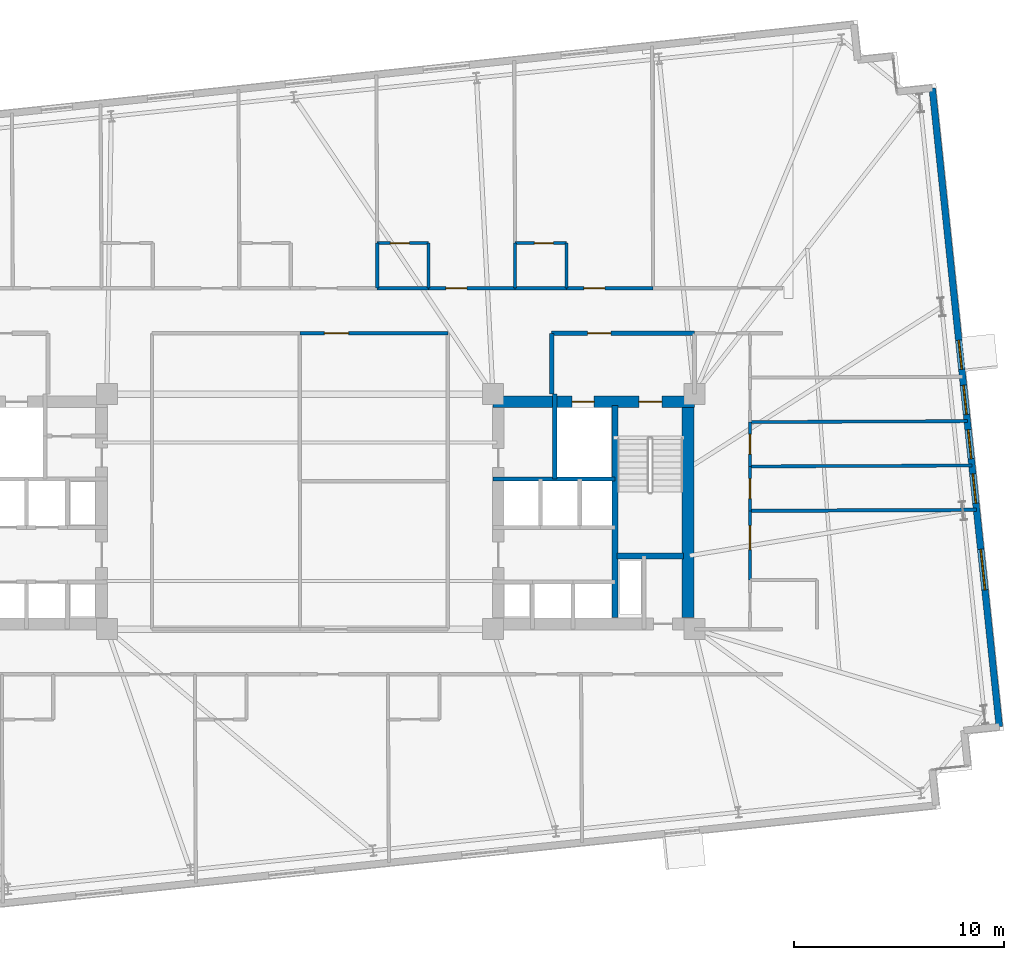
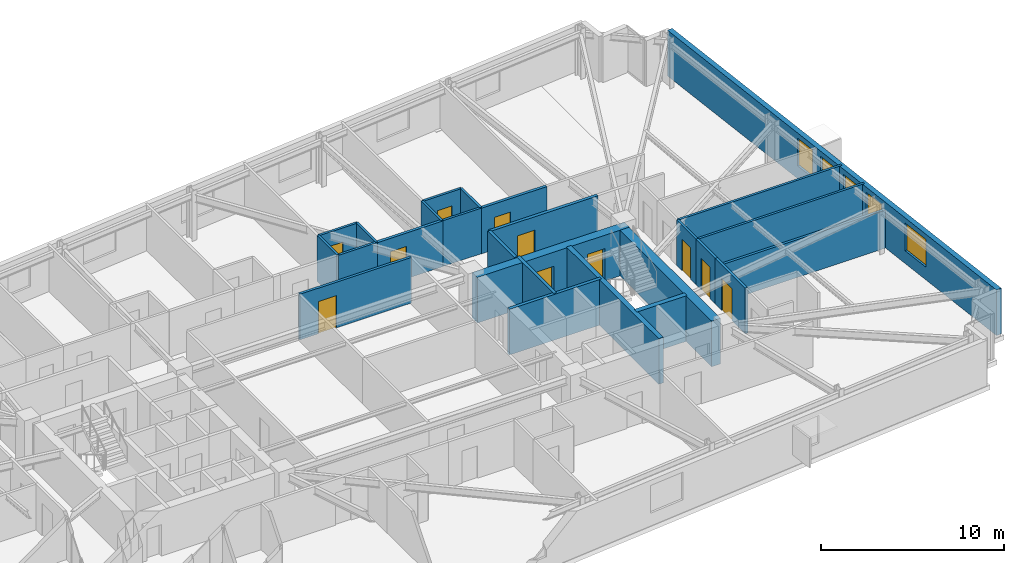
# One storey, part 15 of 19: 26 walls, 11 doors, 5 windows, 16 openings.
"""IFC4 building model written with IfcOpenShell, lengths in metres."""

from ifc_helpers import new_model, si_unit, direction, frame, frame_2d, origin, place, context, subcontext, project, spatial, rectangle, extrude, material, layer, layer_set, type_object, element, fill, save


model = new_model("IFC4")

# Units and contexts
model_context = context("Model", 3, precision=1e-05, world=origin(), true_north=direction((0.0, 1.0)))
body_context = subcontext(model_context, "Body", "Model", "MODEL_VIEW")
ifc_project = project(units=[si_unit("LENGTHUNIT", "METRE"), si_unit("AREAUNIT", "SQUARE_METRE"), si_unit("VOLUMEUNIT", "CUBIC_METRE"), si_unit("PLANEANGLEUNIT", "RADIAN"), si_unit("MASSUNIT", "GRAM", prefix="KILO")], contexts=[model_context])

# Site, building, storey
site_placement = place(None, origin())
site = spatial("IfcSite", under=ifc_project, at=site_placement, CompositionType="ELEMENT")
building_placement = place(site_placement, origin())
building = spatial("IfcBuilding", under=site, at=building_placement, Name="Qobustan Lattice House", CompositionType="ELEMENT")
storey_placement = place(building_placement, frame((0.0, 0.0, 82.35009765625)))
storey = spatial("IfcBuildingStorey", under=building, at=storey_placement, Name="L22", CompositionType="ELEMENT", Elevation=82.35009765625)

# Wall, openings, doors
ifc_material_1 = material(Name="Concrete C60/75", Category="concrete")
ifc_layer_1 = layer(ifc_material_1, 0.56005859375)
ifc_layer_set_1 = layer_set([ifc_layer_1], Name="Concrete C60/75")
wall_type_1 = type_object("IfcWallType", Name="WAL-CORE-600", PredefinedType="SHEAR", material=ifc_layer_set_1)
wall_1_placement = place(storey_placement, frame((9.199951171875, 5.239990234375, 0.0), z_axis=(0.0, 0.0, 1.0), x_axis=(1.0, 0.0, 0.0)))
wall_1 = element("IfcWall", 1, at=wall_1_placement, inside=storey, type_object=wall_type_1, Name="L22 split-core shear wall CE-N", PredefinedType="SHEAR", context=body_context, shape_type="SweptSolid", body=[
    extrude(rectangle(XDim=9.60009765625, YDim=0.56005859375, at=frame_2d((4.800048828125, 0.0))), origin(), (0.0, 0.0, 1.0), 3.044921875),
])
opening_1_placement = place(wall_1_placement, frame((6.949951171875, 0.0, 0.0)))
opening_1 = element("IfcOpeningElement", 2, at=opening_1_placement, cuts=wall_1, Name="Opening SD-01", PredefinedType="OPENING", context=body_context, shape_type="SweptSolid", body=[
    extrude(rectangle(XDim=1.10009765625, YDim=2.14990234375, at=frame_2d((0.550048828125, 1.074951171875))), frame((0.0, 0.2900390625, 0.0), z_axis=(0.0, -1.0, 0.0), x_axis=(1.0, 0.0, 0.0)), (0.0, 0.0, 1.0), 0.580078125),
])
opening_2_placement = place(wall_1_placement, frame((3.77490234375, 0.0, 0.0)))
opening_2 = element("IfcOpeningElement", 3, at=opening_2_placement, cuts=wall_1, Name="Opening LD-01", PredefinedType="OPENING", context=body_context, shape_type="SweptSolid", body=[
    extrude(rectangle(XDim=1.050048828125, YDim=2.10009765625, at=frame_2d((0.52490234375, 1.050048828125))), frame((0.0, 0.2900390625, 0.0), z_axis=(0.0, -1.0, 0.0), x_axis=(1.0, 0.0, 0.0)), (0.0, 0.0, 1.0), 0.580078125),
])
ifc_material_2 = material(Name="Persian walnut timber and steel frame door", Category="steel")
door_type_1 = type_object("IfcDoorType", Name="DOR-LIFT-LD-1050x2100", OperationType="NOTDEFINED", PredefinedType="DOOR", material=ifc_material_2)
door_1_placement = place(opening_2_placement, origin())
door_1 = element("IfcDoor", 4, at=door_1_placement, inside=storey, type_object=door_type_1, Name="L22 firefighting lift FF-E landing door", OperationType="DOUBLE_DOOR_SLIDING", OverallHeight=2.10009765625, OverallWidth=1.050048828125, PredefinedType="DOOR", context=body_context, shape_type="SweptSolid", body=[
    extrude(rectangle(XDim=1.050048828125, YDim=2.10009765625, at=frame_2d((0.52490234375, 1.050048828125))), frame((0.0, 0.02490234375, 0.0), z_axis=(0.0, -1.0, 0.0), x_axis=(1.0, 0.0, 0.0)), (0.0, 0.0, 1.0), 0.050048828125),
])
fill(opening_2, door_1)
ifc_material_3 = material(Name="Persian walnut timber and steel frame door", Category="steel")
door_type_2 = type_object("IfcDoorType", Name="DOR-STAIR-FD-1100x2150", OperationType="NOTDEFINED", PredefinedType="DOOR", material=ifc_material_3)
door_2_placement = place(opening_1_placement, origin())
door_2 = element("IfcDoor", 5, at=door_2_placement, inside=storey, type_object=door_type_2, Name="L22 exit stair ST-E1 fire door", OperationType="SINGLE_SWING_RIGHT", OverallHeight=2.14990234375, OverallWidth=1.10009765625, PredefinedType="DOOR", context=body_context, shape_type="SweptSolid", body=[
    extrude(rectangle(XDim=1.10009765625, YDim=2.14990234375, at=frame_2d((0.550048828125, 1.074951171875))), frame((0.0, 0.02490234375, 0.0), z_axis=(0.0, -1.0, 0.0), x_axis=(1.0, 0.0, 0.0)), (0.0, 0.0, 1.0), 0.050048828125),
])
fill(opening_1, door_2)

# Walls
wall_2_placement = place(storey_placement, frame((18.489990234375, -5.050048828125, 0.0), z_axis=(0.0, 0.0, 1.0), x_axis=(0.0, 1.0, 0.0)))
element("IfcWall", 6, at=wall_2_placement, inside=storey, type_object=wall_type_1, Name="L22 split-core shear wall CE-E", PredefinedType="SHEAR", context=body_context, shape_type="SweptSolid", body=[
    extrude(rectangle(XDim=10.10009765625, YDim=0.56005859375, at=frame_2d((5.050048828125, 0.0))), origin(), (0.0, 0.0, 1.0), 3.044921875),
])
ifc_material_4 = material(Name="Concrete C50/60", Category="concrete")
ifc_layer_2 = layer(ifc_material_4, 0.280029296875)
ifc_layer_set_2 = layer_set([ifc_layer_2], Name="Concrete C50/60")
wall_type_2 = type_object("IfcWallType", Name="WAL-CORE-SPINE-280", PredefinedType="SHEAR", material=ifc_layer_set_2)
wall_3_placement = place(storey_placement, frame((15.02001953125, -5.050048828125, 0.0), z_axis=(0.0, 0.0, 1.0), x_axis=(0.0, 1.0, 0.0)))
element("IfcWall", 7, at=wall_3_placement, inside=storey, type_object=wall_type_2, Name="L22 split-core shear wall CE-M", PredefinedType="SHEAR", context=body_context, shape_type="SweptSolid", body=[
    extrude(rectangle(XDim=10.10009765625, YDim=0.300048828125, at=frame_2d((5.050048828125, 0.0))), origin(), (0.0, 0.0, 1.0), 3.044921875),
])
wall_4_placement = place(storey_placement, frame((15.10009765625, -2.110107421875, 0.0), z_axis=(0.0, 0.0, 1.0), x_axis=(1.0, 0.0, 0.0)))
element("IfcWall", 8, at=wall_4_placement, inside=storey, type_object=wall_type_2, Name="L22 split-core shear wall CE-ST", PredefinedType="SHEAR", context=body_context, shape_type="SweptSolid", body=[
    extrude(rectangle(XDim=3.179931640625, YDim=0.300048828125, at=frame_2d((1.58984375, 0.0))), origin(), (0.0, 0.0, 1.0), 3.044921875),
])

# Wall, openings, windows
ifc_material_5 = material(Name="Precast concrete C40/50", Category="concrete")
ifc_layer_3 = layer(ifc_material_5, 0.320068359375)
ifc_layer_set_3 = layer_set([ifc_layer_3], Name="Precast concrete C40/50")
wall_type_3 = type_object("IfcWallType", Name="WAL-EXT-STONE-320", PredefinedType="SOLIDWALL", material=ifc_layer_set_3)
wall_5_placement = place(storey_placement, frame((30.134765625, 20.183349609375, 0.0), z_axis=(0.0, 0.0, 1.0), x_axis=(0.104525716865, -0.994522184023, 0.0)))
wall_5 = element("IfcWall", 9, at=wall_5_placement, inside=storey, type_object=wall_type_3, Name="L22 exterior limestone-clad wall 15", PredefinedType="SOLIDWALL", context=body_context, shape_type="SweptSolid", body=[
    extrude(rectangle(XDim=30.60009765625, YDim=0.320068359375, at=frame_2d((15.300048828125, 0.0))), origin(), (0.0, 0.0, 1.0), 3.044921875),
])
opening_3_placement = place(wall_5_placement, frame((12.07666015625, 0.0, 0.85009765625)))
opening_3 = element("IfcOpeningElement", 10, at=opening_3_placement, cuts=wall_5, Name="Opening WN-12", PredefinedType="OPENING", context=body_context, shape_type="SweptSolid", body=[
    extrude(rectangle(XDim=1.39990234375, YDim=1.85009765625, at=frame_2d((0.699951171875, 0.925048828125))), frame((0.0, 0.169921875, 0.0), z_axis=(0.0, -1.0, 0.0), x_axis=(1.0, 0.0, 0.0)), (0.0, 0.0, 1.0), 0.340087890625),
])
opening_4_placement = place(wall_5_placement, frame((14.239501953125, 0.0, 0.85009765625)))
opening_4 = element("IfcOpeningElement", 11, at=opening_4_placement, cuts=wall_5, Name="Opening WN-12", PredefinedType="OPENING", context=body_context, shape_type="SweptSolid", body=[
    extrude(rectangle(XDim=1.39990234375, YDim=1.85009765625, at=frame_2d((0.699951171875, 0.925048828125))), frame((0.0, 0.169921875, 0.0), z_axis=(0.0, -1.0, 0.0), x_axis=(1.0, 0.0, 0.0)), (0.0, 0.0, 1.0), 0.340087890625),
])
opening_5_placement = place(wall_5_placement, frame((16.3623046875, 0.0, 0.85009765625)))
opening_5 = element("IfcOpeningElement", 12, at=opening_5_placement, cuts=wall_5, Name="Opening WN-12", PredefinedType="OPENING", context=body_context, shape_type="SweptSolid", body=[
    extrude(rectangle(XDim=1.39990234375, YDim=1.85009765625, at=frame_2d((0.699951171875, 0.925048828125))), frame((0.0, 0.169921875, 0.0), z_axis=(0.0, -1.0, 0.0), x_axis=(1.0, 0.0, 0.0)), (0.0, 0.0, 1.0), 0.340087890625),
])
opening_6_placement = place(wall_5_placement, frame((18.485107421875, 0.0, 0.85009765625)))
opening_6 = element("IfcOpeningElement", 13, at=opening_6_placement, cuts=wall_5, Name="Opening WN-12", PredefinedType="OPENING", context=body_context, shape_type="SweptSolid", body=[
    extrude(rectangle(XDim=1.39990234375, YDim=1.85009765625, at=frame_2d((0.699951171875, 0.925048828125))), frame((0.0, 0.169921875, 0.0), z_axis=(0.0, -1.0, 0.0), x_axis=(1.0, 0.0, 0.0)), (0.0, 0.0, 1.0), 0.340087890625),
])
opening_7_placement = place(wall_5_placement, frame((22.09521484375, 0.0, 0.85009765625)))
opening_7 = element("IfcOpeningElement", 14, at=opening_7_placement, cuts=wall_5, Name="Opening WN-08", PredefinedType="OPENING", context=body_context, shape_type="SweptSolid", body=[
    extrude(rectangle(XDim=1.949951171875, YDim=1.85009765625, at=frame_2d((0.97509765625, 0.925048828125))), frame((0.0, 0.169921875, 0.0), z_axis=(0.0, -1.0, 0.0), x_axis=(1.0, 0.0, 0.0)), (0.0, 0.0, 1.0), 0.340087890625),
])
ifc_material_6 = material(Name="Double-glazed low-E aluminium window", Category="aluminium")
window_type_1 = type_object("IfcWindowType", Name="WIN-BED-1400x1850", PartitioningType="SINGLE_PANEL", PredefinedType="WINDOW", material=ifc_material_6)
window_1_placement = place(opening_3_placement, origin())
window_1 = element("IfcWindow", 15, at=window_1_placement, inside=storey, type_object=window_type_1, Name="L22 Cluster bedroom L22E4 window", OverallHeight=1.85009765625, OverallWidth=1.39990234375, PartitioningType="SINGLE_PANEL", PredefinedType="WINDOW", context=body_context, shape_type="SweptSolid", body=[
    extrude(rectangle(XDim=1.39990234375, YDim=1.85009765625, at=frame_2d((0.699951171875, 0.925048828125))), frame((0.0, 0.030029296875, 0.0), z_axis=(0.0, -1.0, 0.0), x_axis=(1.0, 0.0, 0.0)), (0.0, 0.0, 1.0), 0.06005859375),
])
fill(opening_3, window_1)
window_2_placement = place(opening_4_placement, origin())
window_2 = element("IfcWindow", 16, at=window_2_placement, inside=storey, type_object=window_type_1, Name="L22 Cluster bedroom L22E3 window", OverallHeight=1.85009765625, OverallWidth=1.39990234375, PartitioningType="SINGLE_PANEL", PredefinedType="WINDOW", context=body_context, shape_type="SweptSolid", body=[
    extrude(rectangle(XDim=1.39990234375, YDim=1.85009765625, at=frame_2d((0.699951171875, 0.925048828125))), frame((0.0, 0.030029296875, 0.0), z_axis=(0.0, -1.0, 0.0), x_axis=(1.0, 0.0, 0.0)), (0.0, 0.0, 1.0), 0.06005859375),
])
fill(opening_4, window_2)
window_3_placement = place(opening_5_placement, origin())
window_3 = element("IfcWindow", 17, at=window_3_placement, inside=storey, type_object=window_type_1, Name="L22 Cluster bedroom L22E2 window", OverallHeight=1.85009765625, OverallWidth=1.39990234375, PartitioningType="SINGLE_PANEL", PredefinedType="WINDOW", context=body_context, shape_type="SweptSolid", body=[
    extrude(rectangle(XDim=1.39990234375, YDim=1.85009765625, at=frame_2d((0.699951171875, 0.925048828125))), frame((0.0, 0.030029296875, 0.0), z_axis=(0.0, -1.0, 0.0), x_axis=(1.0, 0.0, 0.0)), (0.0, 0.0, 1.0), 0.06005859375),
])
fill(opening_5, window_3)
window_4_placement = place(opening_6_placement, origin())
window_4 = element("IfcWindow", 18, at=window_4_placement, inside=storey, type_object=window_type_1, Name="L22 Cluster bedroom L22E1 window", OverallHeight=1.85009765625, OverallWidth=1.39990234375, PartitioningType="SINGLE_PANEL", PredefinedType="WINDOW", context=body_context, shape_type="SweptSolid", body=[
    extrude(rectangle(XDim=1.39990234375, YDim=1.85009765625, at=frame_2d((0.699951171875, 0.925048828125))), frame((0.0, 0.030029296875, 0.0), z_axis=(0.0, -1.0, 0.0), x_axis=(1.0, 0.0, 0.0)), (0.0, 0.0, 1.0), 0.06005859375),
])
fill(opening_6, window_4)
ifc_material_7 = material(Name="Double-glazed low-E aluminium window", Category="aluminium")
window_type_2 = type_object("IfcWindowType", Name="WIN-KIT-1950x1850", PartitioningType="SINGLE_PANEL", PredefinedType="WINDOW", material=ifc_material_7)
window_5_placement = place(opening_7_placement, origin())
window_5 = element("IfcWindow", 19, at=window_5_placement, inside=storey, type_object=window_type_2, Name="L22 Shared kitchen L22E window", OverallHeight=1.85009765625, OverallWidth=1.949951171875, PartitioningType="SINGLE_PANEL", PredefinedType="WINDOW", context=body_context, shape_type="SweptSolid", body=[
    extrude(rectangle(XDim=1.949951171875, YDim=1.85009765625, at=frame_2d((0.97509765625, 0.925048828125))), frame((0.0, 0.030029296875, 0.0), z_axis=(0.0, -1.0, 0.0), x_axis=(1.0, 0.0, 0.0)), (0.0, 0.0, 1.0), 0.06005859375),
])
fill(opening_7, window_5)

# Wall, opening, door
ifc_material_8 = material(Name="Gypsum fireboard acoustic partition", Category="gypsum")
ifc_layer_4 = layer(ifc_material_8, 0.179931640625)
ifc_layer_set_4 = layer_set([ifc_layer_4], Name="Gypsum fireboard acoustic partition")
wall_type_4 = type_object("IfcWallType", Name="WAL-FIRE-180", PredefinedType="PARTITIONING", material=ifc_layer_set_4)
wall_6_placement = place(storey_placement, frame((6.135986328125, 10.64990234375, 0.0), z_axis=(0.0, 0.0, 1.0), x_axis=(1.0, 0.0, 0.0)))
wall_6 = element("IfcWall", 20, at=wall_6_placement, inside=storey, type_object=wall_type_4, Name="L22 interior partition 50", PredefinedType="PARTITIONING", context=body_context, shape_type="SweptSolid", body=[
    extrude(rectangle(XDim=4.12109375, YDim=0.179931640625, at=frame_2d((2.060546875, 0.0))), origin(), (0.0, 0.0, 1.0), 3.044921875),
])
opening_8_placement = place(wall_6_placement, frame((0.8251953125, 0.0, 0.0)))
opening_8 = element("IfcOpeningElement", 21, at=opening_8_placement, cuts=wall_6, Name="Opening FD-02", PredefinedType="OPENING", context=body_context, shape_type="SweptSolid", body=[
    extrude(rectangle(XDim=1.0, YDim=2.14990234375, at=frame_2d((0.5, 1.074951171875))), frame((0.0, 0.099853515625, 0.0), z_axis=(0.0, -1.0, 0.0), x_axis=(1.0, 0.0, 0.0)), (0.0, 0.0, 1.0), 0.199951171875),
])
ifc_material_9 = material(Name="Persian walnut timber and steel frame door", Category="steel")
door_type_3 = type_object("IfcDoorType", Name="DOR-UNIT-FD-1000x2150", OperationType="NOTDEFINED", PredefinedType="DOOR", material=ifc_material_9)
door_3_placement = place(opening_8_placement, origin())
door_3 = element("IfcDoor", 22, at=door_3_placement, inside=storey, type_object=door_type_3, Name="L22 North-east floor corridor to Kitchenette and studio apartment L22-N5 door", OperationType="SINGLE_SWING_LEFT", OverallHeight=2.14990234375, OverallWidth=1.0, PredefinedType="DOOR", context=body_context, shape_type="SweptSolid", body=[
    extrude(rectangle(XDim=1.0, YDim=2.14990234375, at=frame_2d((0.5, 1.074951171875))), frame((0.0, 0.02490234375, 0.0), z_axis=(0.0, -1.0, 0.0), x_axis=(1.0, 0.0, 0.0)), (0.0, 0.0, 1.0), 0.050048828125),
])
fill(opening_8, door_3)

wall_7_placement = place(storey_placement, frame((12.70703125, 10.64990234375, 0.0), z_axis=(0.0, 0.0, 1.0), x_axis=(1.0, 0.0, 0.0)))
wall_7 = element("IfcWall", 23, at=wall_7_placement, inside=storey, type_object=wall_type_4, Name="L22 interior partition 52", PredefinedType="PARTITIONING", context=body_context, shape_type="SweptSolid", body=[
    extrude(rectangle(XDim=4.1220703125, YDim=0.179931640625, at=frame_2d((2.06103515625, 0.0))), origin(), (0.0, 0.0, 1.0), 3.044921875),
])
opening_9_placement = place(wall_7_placement, frame((0.8251953125, 0.0, 0.0)))
opening_9 = element("IfcOpeningElement", 24, at=opening_9_placement, cuts=wall_7, Name="Opening FD-02", PredefinedType="OPENING", context=body_context, shape_type="SweptSolid", body=[
    extrude(rectangle(XDim=1.0, YDim=2.14990234375, at=frame_2d((0.5, 1.074951171875))), frame((0.0, 0.099853515625, 0.0), z_axis=(0.0, -1.0, 0.0), x_axis=(1.0, 0.0, 0.0)), (0.0, 0.0, 1.0), 0.199951171875),
])
door_4_placement = place(opening_9_placement, origin())
door_4 = element("IfcDoor", 25, at=door_4_placement, inside=storey, type_object=door_type_3, Name="L22 North-east floor corridor to Kitchenette and studio apartment L22-N6 door", OperationType="SINGLE_SWING_RIGHT", OverallHeight=2.14990234375, OverallWidth=1.0, PredefinedType="DOOR", context=body_context, shape_type="SweptSolid", body=[
    extrude(rectangle(XDim=1.0, YDim=2.14990234375, at=frame_2d((0.5, 1.074951171875))), frame((0.0, 0.02490234375, 0.0), z_axis=(0.0, -1.0, 0.0), x_axis=(1.0, 0.0, 0.0)), (0.0, 0.0, 1.0), 0.050048828125),
])
fill(opening_9, door_4)

ifc_material_10 = material(Name="Acoustic twin-stud gypsum partition", Category="gypsum")
ifc_layer_5 = layer(ifc_material_10, 0.14990234375)
ifc_layer_set_5 = layer_set([ifc_layer_5], Name="Acoustic twin-stud gypsum partition")
wall_type_5 = type_object("IfcWallType", Name="WAL-PART-150", PredefinedType="PARTITIONING", material=ifc_layer_set_5)
wall_8_placement = place(storey_placement, frame((21.449951171875, 2.155029296875, 0.0), z_axis=(0.0, 0.0, 1.0), x_axis=(0.0, -1.0, 0.0)))
wall_8 = element("IfcWall", 26, at=wall_8_placement, inside=storey, type_object=wall_type_5, Name="L22 interior partition 86", PredefinedType="PARTITIONING", context=body_context, shape_type="SweptSolid", body=[
    extrude(rectangle(XDim=2.114990234375, YDim=0.14990234375, at=frame_2d((1.0576171875, 0.0))), origin(), (0.0, 0.0, 1.0), 3.044921875),
])
opening_10_placement = place(wall_8_placement, frame((0.58251953125, 0.0, 0.0)))
opening_10 = element("IfcOpeningElement", 27, at=opening_10_placement, cuts=wall_8, Name="Opening ID-01", PredefinedType="OPENING", context=body_context, shape_type="SweptSolid", body=[
    extrude(rectangle(XDim=0.949951171875, YDim=2.10009765625, at=frame_2d((0.47509765625, 1.050048828125))), frame((0.0, 0.0849609375, 0.0), z_axis=(0.0, -1.0, 0.0), x_axis=(1.0, 0.0, 0.0)), (0.0, 0.0, 1.0), 0.169921875),
])
ifc_material_11 = material(Name="Persian walnut timber and steel frame door", Category="steel")
door_type_4 = type_object("IfcDoorType", Name="DOR-ROOM-950x2100", OperationType="NOTDEFINED", PredefinedType="DOOR", material=ifc_material_11)
door_5_placement = place(opening_10_placement, origin())
door_5 = element("IfcDoor", 28, at=door_5_placement, inside=storey, type_object=door_type_4, Name="L22 Residence entrance hall L22E to Cluster bedroom L22E1 door", OperationType="SINGLE_SWING_RIGHT", OverallHeight=2.10009765625, OverallWidth=0.949951171875, PredefinedType="DOOR", context=body_context, shape_type="SweptSolid", body=[
    extrude(rectangle(XDim=0.949951171875, YDim=2.10009765625, at=frame_2d((0.47509765625, 1.050048828125))), frame((0.0, 0.02490234375, 0.0), z_axis=(0.0, -1.0, 0.0), x_axis=(1.0, 0.0, 0.0)), (0.0, 0.0, 1.0), 0.050048828125),
])
fill(opening_10, door_5)

wall_9_placement = place(storey_placement, frame((21.449951171875, 4.27001953125, 0.0), z_axis=(0.0, 0.0, 1.0), x_axis=(0.0, -1.0, 0.0)))
wall_9 = element("IfcWall", 29, at=wall_9_placement, inside=storey, type_object=wall_type_5, Name="L22 interior partition 87", PredefinedType="PARTITIONING", context=body_context, shape_type="SweptSolid", body=[
    extrude(rectangle(XDim=2.114990234375, YDim=0.14990234375, at=frame_2d((1.0576171875, 0.0))), origin(), (0.0, 0.0, 1.0), 3.044921875),
])
opening_11_placement = place(wall_9_placement, frame((0.58251953125, 0.0, 0.0)))
opening_11 = element("IfcOpeningElement", 30, at=opening_11_placement, cuts=wall_9, Name="Opening ID-01", PredefinedType="OPENING", context=body_context, shape_type="SweptSolid", body=[
    extrude(rectangle(XDim=0.949951171875, YDim=2.10009765625, at=frame_2d((0.47509765625, 1.050048828125))), frame((0.0, 0.0849609375, 0.0), z_axis=(0.0, -1.0, 0.0), x_axis=(1.0, 0.0, 0.0)), (0.0, 0.0, 1.0), 0.169921875),
])
door_6_placement = place(opening_11_placement, origin())
door_6 = element("IfcDoor", 31, at=door_6_placement, inside=storey, type_object=door_type_4, Name="L22 Residence entrance hall L22E to Cluster bedroom L22E2 door", OperationType="SINGLE_SWING_LEFT", OverallHeight=2.10009765625, OverallWidth=0.949951171875, PredefinedType="DOOR", context=body_context, shape_type="SweptSolid", body=[
    extrude(rectangle(XDim=0.949951171875, YDim=2.10009765625, at=frame_2d((0.47509765625, 1.050048828125))), frame((0.0, 0.02490234375, 0.0), z_axis=(0.0, -1.0, 0.0), x_axis=(1.0, 0.0, 0.0)), (0.0, 0.0, 1.0), 0.050048828125),
])
fill(opening_11, door_6)

# Walls
wall_10_placement = place(storey_placement, frame((21.449951171875, 2.155029296875, 0.0), z_axis=(0.0, 0.0, 1.0), x_axis=(0.999991365588, 0.004155568413, 0.0)))
element("IfcWall", 32, at=wall_10_placement, inside=storey, type_object=wall_type_5, Name="L22 interior partition 93", PredefinedType="PARTITIONING", context=body_context, shape_type="SweptSolid", body=[
    extrude(rectangle(XDim=10.574951171875, YDim=0.14990234375, at=frame_2d((5.28759765625, 0.0))), origin(), (0.0, 0.0, 1.0), 3.044921875),
])
wall_11_placement = place(storey_placement, frame((21.449951171875, 4.27001953125, 0.0), z_axis=(0.0, 0.0, 1.0), x_axis=(0.999990991033, 0.004244744214, 0.0)))
element("IfcWall", 33, at=wall_11_placement, inside=storey, type_object=wall_type_5, Name="L22 interior partition 94", PredefinedType="PARTITIONING", context=body_context, shape_type="SweptSolid", body=[
    extrude(rectangle(XDim=10.352783203125, YDim=0.14990234375, at=frame_2d((5.17626953125, 0.0))), origin(), (0.0, 0.0, 1.0), 3.044921875),
])

# Wall, opening, door
ifc_material_12 = material(Name="High-mass acoustic twin-stud partition", Category="gypsum")
ifc_layer_6 = layer(ifc_material_12, 0.1650390625)
ifc_layer_set_6 = layer_set([ifc_layer_6], Name="High-mass acoustic twin-stud partition")
wall_type_6 = type_object("IfcWallType", Name="WAL-PART-165", PredefinedType="PARTITIONING", material=ifc_layer_set_6)
wall_12_placement = place(storey_placement, frame((7.050048828125, 8.5, 0.0), z_axis=(0.0, 0.0, 1.0), x_axis=(-1.0, 0.0, 0.0)))
wall_12 = element("IfcWall", 34, at=wall_12_placement, inside=storey, type_object=wall_type_6, Name="L22 interior partition 55", PredefinedType="PARTITIONING", context=body_context, shape_type="SweptSolid", body=[
    extrude(rectangle(XDim=7.050048828125, YDim=0.1650390625, at=frame_2d((3.52490234375, 0.0))), origin(), (0.0, 0.0, 1.0), 3.044921875),
])
opening_12_placement = place(wall_12_placement, frame((4.7275390625, 0.0, 0.0)))
opening_12 = element("IfcOpeningElement", 35, at=opening_12_placement, cuts=wall_12, Name="Opening ID-03", PredefinedType="OPENING", context=body_context, shape_type="SweptSolid", body=[
    extrude(rectangle(XDim=1.14990234375, YDim=2.14990234375, at=frame_2d((0.574951171875, 1.074951171875))), frame((0.0, 0.092529296875, 0.0), z_axis=(0.0, -1.0, 0.0), x_axis=(1.0, 0.0, 0.0)), (0.0, 0.0, 1.0), 0.18505859375),
])
ifc_material_13 = material(Name="Persian walnut timber and steel frame door", Category="steel")
door_type_5 = type_object("IfcDoorType", Name="DOR-KITCH-1150x2150", OperationType="NOTDEFINED", PredefinedType="DOOR", material=ifc_material_13)
door_7_placement = place(opening_12_placement, origin())
door_7 = element("IfcDoor", 36, at=door_7_placement, inside=storey, type_object=door_type_5, Name="L22 North-east floor corridor to Communal kitchen dining door", OperationType="SINGLE_SWING_RIGHT", OverallHeight=2.14990234375, OverallWidth=1.14990234375, PredefinedType="DOOR", context=body_context, shape_type="SweptSolid", body=[
    extrude(rectangle(XDim=1.14990234375, YDim=2.14990234375, at=frame_2d((0.574951171875, 1.074951171875))), frame((0.0, 0.02490234375, 0.0), z_axis=(0.0, -1.0, 0.0), x_axis=(1.0, 0.0, 0.0)), (0.0, 0.0, 1.0), 0.050048828125),
])
fill(opening_12, door_7)

wall_13_placement = place(storey_placement, frame((21.449951171875, 0.0400390625, 0.0), z_axis=(0.0, 0.0, 1.0), x_axis=(0.0, -1.0, 0.0)))
wall_13 = element("IfcWall", 37, at=wall_13_placement, inside=storey, type_object=wall_type_6, Name="L22 interior partition 85", PredefinedType="PARTITIONING", context=body_context, shape_type="SweptSolid", body=[
    extrude(rectangle(XDim=3.2900390625, YDim=0.1650390625, at=frame_2d((1.64501953125, 0.0))), origin(), (0.0, 0.0, 1.0), 3.044921875),
])
opening_13_placement = place(wall_13_placement, frame((0.702392578125, 0.0, 0.0)))
opening_13 = element("IfcOpeningElement", 38, at=opening_13_placement, cuts=wall_13, Name="Opening ID-03", PredefinedType="OPENING", context=body_context, shape_type="SweptSolid", body=[
    extrude(rectangle(XDim=1.14990234375, YDim=2.14990234375, at=frame_2d((0.574951171875, 1.074951171875))), frame((0.0, 0.092529296875, 0.0), z_axis=(0.0, -1.0, 0.0), x_axis=(1.0, 0.0, 0.0)), (0.0, 0.0, 1.0), 0.18505859375),
])
door_8_placement = place(opening_13_placement, origin())
door_8 = element("IfcDoor", 39, at=door_8_placement, inside=storey, type_object=door_type_5, Name="L22 Residence entrance hall L22E to Shared kitchen L22E door", OperationType="SINGLE_SWING_LEFT", OverallHeight=2.14990234375, OverallWidth=1.14990234375, PredefinedType="DOOR", context=body_context, shape_type="SweptSolid", body=[
    extrude(rectangle(XDim=1.14990234375, YDim=2.14990234375, at=frame_2d((0.574951171875, 1.074951171875))), frame((0.0, 0.02490234375, 0.0), z_axis=(0.0, -1.0, 0.0), x_axis=(1.0, 0.0, 0.0)), (0.0, 0.0, 1.0), 0.050048828125),
])
fill(opening_13, door_8)

# Wall
wall_14_placement = place(storey_placement, frame((21.449951171875, 0.0400390625, 0.0), z_axis=(0.0, 0.0, 1.0), x_axis=(0.999991717636, 0.004069970361, 0.0)))
element("IfcWall", 40, at=wall_14_placement, inside=storey, type_object=wall_type_6, Name="L22 interior partition 92", PredefinedType="PARTITIONING", context=body_context, shape_type="SweptSolid", body=[
    extrude(rectangle(XDim=10.79736328125, YDim=0.1650390625, at=frame_2d((5.398681640625, 0.0))), origin(), (0.0, 0.0, 1.0), 2.52978515625),
])

# Wall, opening, door
ifc_material_14 = material(Name="Two-hour gypsum fireboard acoustic partition", Category="gypsum")
ifc_layer_7 = layer(ifc_material_14, 0.199951171875)
ifc_layer_set_7 = layer_set([ifc_layer_7], Name="Two-hour gypsum fireboard acoustic partition")
wall_type_7 = type_object("IfcWallType", Name="WAL-PROT-200", PredefinedType="PARTITIONING", material=ifc_layer_set_7)
wall_15_placement = place(storey_placement, frame((18.800048828125, 8.5, 0.0), z_axis=(0.0, 0.0, 1.0), x_axis=(-1.0, 0.0, 0.0)))
wall_15 = element("IfcWall", 41, at=wall_15_placement, inside=storey, type_object=wall_type_7, Name="L22 interior partition 22", PredefinedType="PARTITIONING", context=body_context, shape_type="SweptSolid", body=[
    extrude(rectangle(XDim=6.800048828125, YDim=0.199951171875, at=frame_2d((3.39990234375, 0.0))), origin(), (0.0, 0.0, 1.0), 3.044921875),
])
opening_14_placement = place(wall_15_placement, frame((3.985107421875, 0.0, 0.0)))
opening_14 = element("IfcOpeningElement", 42, at=opening_14_placement, cuts=wall_15, Name="Opening SD-01", PredefinedType="OPENING", context=body_context, shape_type="SweptSolid", body=[
    extrude(rectangle(XDim=1.10009765625, YDim=2.14990234375, at=frame_2d((0.550048828125, 1.074951171875))), frame((0.0, 0.10986328125, 0.0), z_axis=(0.0, -1.0, 0.0), x_axis=(1.0, 0.0, 0.0)), (0.0, 0.0, 1.0), 0.219970703125),
])
door_9_placement = place(opening_14_placement, origin())
door_9 = element("IfcDoor", 43, at=door_9_placement, inside=storey, type_object=door_type_2, Name="L22 East firefighting lift lobby to North-east floor corridor door", OperationType="SINGLE_SWING_LEFT", OverallHeight=2.14990234375, OverallWidth=1.10009765625, PredefinedType="DOOR", context=body_context, shape_type="SweptSolid", body=[
    extrude(rectangle(XDim=1.10009765625, YDim=2.14990234375, at=frame_2d((0.550048828125, 1.074951171875))), frame((0.0, 0.02490234375, 0.0), z_axis=(0.0, -1.0, 0.0), x_axis=(1.0, 0.0, 0.0)), (0.0, 0.0, 1.0), 0.050048828125),
])
fill(opening_14, door_9)

# Walls
wall_16_placement = place(storey_placement, frame((12.0, 8.5, 0.0), z_axis=(0.0, 0.0, 1.0), x_axis=(0.0, -1.0, 0.0)))
element("IfcWall", 44, at=wall_16_placement, inside=storey, type_object=wall_type_7, Name="L22 interior partition 23", PredefinedType="PARTITIONING", context=body_context, shape_type="SweptSolid", body=[
    extrude(rectangle(XDim=2.89990234375, YDim=0.199951171875, at=frame_2d((1.449951171875, 0.0))), origin(), (0.0, 0.0, 1.0), 3.044921875),
])
ifc_material_15 = material(Name="Concrete C40/50", Category="concrete")
ifc_layer_8 = layer(ifc_material_15, 0.199951171875)
ifc_layer_set_8 = layer_set([ifc_layer_8], Name="Concrete C40/50")
wall_type_8 = type_object("IfcWallType", Name="WAL-SHAFT-200", PredefinedType="PARTITIONING", material=ifc_layer_set_8)
wall_17_placement = place(storey_placement, frame((12.14990234375, 5.60009765625, 0.0), z_axis=(0.0, 0.0, 1.0), x_axis=(0.0, -1.0, 0.0)))
element("IfcWall", 45, at=wall_17_placement, inside=storey, type_object=wall_type_8, Name="L22 interior partition 21", PredefinedType="PARTITIONING", context=body_context, shape_type="SweptSolid", body=[
    extrude(rectangle(XDim=4.050048828125, YDim=0.199951171875, at=frame_2d((2.02490234375, 0.0))), origin(), (0.0, 0.0, 1.0), 3.044921875),
])
wall_18_placement = place(storey_placement, frame((9.199951171875, 1.550048828125, 0.0), z_axis=(0.0, 0.0, 1.0), x_axis=(1.0, 0.0, 0.0)))
element("IfcWall", 46, at=wall_18_placement, inside=storey, type_object=wall_type_8, Name="L22 interior partition 133", PredefinedType="PARTITIONING", context=body_context, shape_type="SweptSolid", body=[
    extrude(rectangle(XDim=5.820068359375, YDim=0.199951171875, at=frame_2d((2.91015625, 0.0))), origin(), (0.0, 0.0, 1.0), 3.044921875),
])
ifc_material_16 = material(Name="Moisture-resistant acoustic plumbing wall", Category="gypsum")
ifc_layer_9 = layer(ifc_material_16, 0.14990234375)
ifc_layer_set_9 = layer_set([ifc_layer_9], Name="Moisture-resistant acoustic plumbing wall")
wall_type_9 = type_object("IfcWallType", Name="WAL-WET-150", PredefinedType="PLUMBINGWALL", material=ifc_layer_set_9)
for number, where, z_axis, x_axis, name in (
    (47, (3.68603515625, 10.64990234375, 0.0), (0.0, 0.0, 1.0), (1.0, 0.0, 0.0), "L22 interior partition 51"),
    (48, (10.257080078125, 10.64990234375, 0.0), (0.0, 0.0, 1.0), (1.0, 0.0, 0.0), "L22 interior partition 53"),
):
    element("IfcWall", number, at=place(storey_placement, frame(where, z_axis=z_axis, x_axis=x_axis)), inside=storey, type_object=wall_type_9, Name=name, PredefinedType="PLUMBINGWALL", context=body_context, shape_type="SweptSolid", body=[
        extrude(rectangle(XDim=2.449951171875, YDim=0.14990234375, at=frame_2d((1.22509765625, 0.0))), origin(), (0.0, 0.0, 1.0), 3.044921875),
    ])
wall_19_placement = place(storey_placement, frame((3.68603515625, 12.800048828125, 0.0), z_axis=(0.0, 0.0, 1.0), x_axis=(0.0, -1.0, 0.0)))
element("IfcWall", 49, at=wall_19_placement, inside=storey, type_object=wall_type_9, Name="L22 interior partition 107", PredefinedType="PLUMBINGWALL", context=body_context, shape_type="SweptSolid", body=[
    extrude(rectangle(XDim=2.150146484375, YDim=0.14990234375, at=frame_2d((1.0751953125, 0.0))), origin(), (0.0, 0.0, 1.0), 3.044921875),
])

# Wall, opening, door
wall_20_placement = place(storey_placement, frame((6.135986328125, 12.800048828125, 0.0), z_axis=(0.0, 0.0, 1.0), x_axis=(-1.0, 0.0, 0.0)))
wall_20 = element("IfcWall", 50, at=wall_20_placement, inside=storey, type_object=wall_type_9, Name="L22 interior partition 108", PredefinedType="PLUMBINGWALL", context=body_context, shape_type="SweptSolid", body=[
    extrude(rectangle(XDim=2.449951171875, YDim=0.14990234375, at=frame_2d((1.22509765625, 0.0))), origin(), (0.0, 0.0, 1.0), 3.044921875),
])
opening_15_placement = place(wall_20_placement, frame((0.92138671875, 0.0, 0.0)))
opening_15 = element("IfcOpeningElement", 51, at=opening_15_placement, cuts=wall_20, Name="Opening WD-01", PredefinedType="OPENING", context=body_context, shape_type="SweptSolid", body=[
    extrude(rectangle(XDim=0.89990234375, YDim=2.10009765625, at=frame_2d((0.449951171875, 1.050048828125))), frame((0.0, 0.0849609375, 0.0), z_axis=(0.0, -1.0, 0.0), x_axis=(1.0, 0.0, 0.0)), (0.0, 0.0, 1.0), 0.169921875),
])
ifc_material_17 = material(Name="Persian walnut timber and steel frame door", Category="steel")
door_type_6 = type_object("IfcDoorType", Name="DOR-WET-900x2100", OperationType="NOTDEFINED", PredefinedType="DOOR", material=ifc_material_17)
door_10_placement = place(opening_15_placement, origin())
door_10 = element("IfcDoor", 52, at=door_10_placement, inside=storey, type_object=door_type_6, Name="L22 Kitchenette and studio apartment L22-N5 to En-suite bathroom L22-N5 door", OperationType="SINGLE_SWING_RIGHT", OverallHeight=2.10009765625, OverallWidth=0.89990234375, PredefinedType="DOOR", context=body_context, shape_type="SweptSolid", body=[
    extrude(rectangle(XDim=0.89990234375, YDim=2.10009765625, at=frame_2d((0.449951171875, 1.050048828125))), frame((0.0, 0.02490234375, 0.0), z_axis=(0.0, -1.0, 0.0), x_axis=(1.0, 0.0, 0.0)), (0.0, 0.0, 1.0), 0.050048828125),
])
fill(opening_15, door_10)

# Walls
for number, where, z_axis, x_axis, name in (
    (53, (6.135986328125, 10.64990234375, 0.0), (0.0, 0.0, 1.0), (0.0, 1.0, 0.0), "L22 interior partition 109"),
    (54, (10.257080078125, 12.800048828125, 0.0), (0.0, 0.0, 1.0), (0.0, -1.0, 0.0), "L22 interior partition 111"),
):
    element("IfcWall", number, at=place(storey_placement, frame(where, z_axis=z_axis, x_axis=x_axis)), inside=storey, type_object=wall_type_9, Name=name, PredefinedType="PLUMBINGWALL", context=body_context, shape_type="SweptSolid", body=[
        extrude(rectangle(XDim=2.150146484375, YDim=0.14990234375, at=frame_2d((1.0751953125, 0.0))), origin(), (0.0, 0.0, 1.0), 3.044921875),
    ])

# Wall, opening, door
wall_21_placement = place(storey_placement, frame((12.70703125, 12.800048828125, 0.0), z_axis=(0.0, 0.0, 1.0), x_axis=(-1.0, 0.0, 0.0)))
wall_21 = element("IfcWall", 55, at=wall_21_placement, inside=storey, type_object=wall_type_9, Name="L22 interior partition 112", PredefinedType="PLUMBINGWALL", context=body_context, shape_type="SweptSolid", body=[
    extrude(rectangle(XDim=2.449951171875, YDim=0.14990234375, at=frame_2d((1.22509765625, 0.0))), origin(), (0.0, 0.0, 1.0), 3.044921875),
])
opening_16_placement = place(wall_21_placement, frame((0.62890625, 0.0, 0.0)))
opening_16 = element("IfcOpeningElement", 56, at=opening_16_placement, cuts=wall_21, Name="Opening WD-01", PredefinedType="OPENING", context=body_context, shape_type="SweptSolid", body=[
    extrude(rectangle(XDim=0.89990234375, YDim=2.10009765625, at=frame_2d((0.449951171875, 1.050048828125))), frame((0.0, 0.0849609375, 0.0), z_axis=(0.0, -1.0, 0.0), x_axis=(1.0, 0.0, 0.0)), (0.0, 0.0, 1.0), 0.169921875),
])
door_11_placement = place(opening_16_placement, origin())
door_11 = element("IfcDoor", 57, at=door_11_placement, inside=storey, type_object=door_type_6, Name="L22 Kitchenette and studio apartment L22-N6 to En-suite bathroom L22-N6 door", OperationType="SINGLE_SWING_LEFT", OverallHeight=2.10009765625, OverallWidth=0.89990234375, PredefinedType="DOOR", context=body_context, shape_type="SweptSolid", body=[
    extrude(rectangle(XDim=0.89990234375, YDim=2.10009765625, at=frame_2d((0.449951171875, 1.050048828125))), frame((0.0, 0.02490234375, 0.0), z_axis=(0.0, -1.0, 0.0), x_axis=(1.0, 0.0, 0.0)), (0.0, 0.0, 1.0), 0.050048828125),
])
fill(opening_16, door_11)

# Wall
wall_22_placement = place(storey_placement, frame((12.70703125, 10.64990234375, 0.0), z_axis=(0.0, 0.0, 1.0), x_axis=(0.0, 1.0, 0.0)))
element("IfcWall", 58, at=wall_22_placement, inside=storey, type_object=wall_type_9, Name="L22 interior partition 113", PredefinedType="PLUMBINGWALL", context=body_context, shape_type="SweptSolid", body=[
    extrude(rectangle(XDim=2.150146484375, YDim=0.14990234375, at=frame_2d((1.0751953125, 0.0))), origin(), (0.0, 0.0, 1.0), 3.044921875),
])

save(model, "model.ifc")
